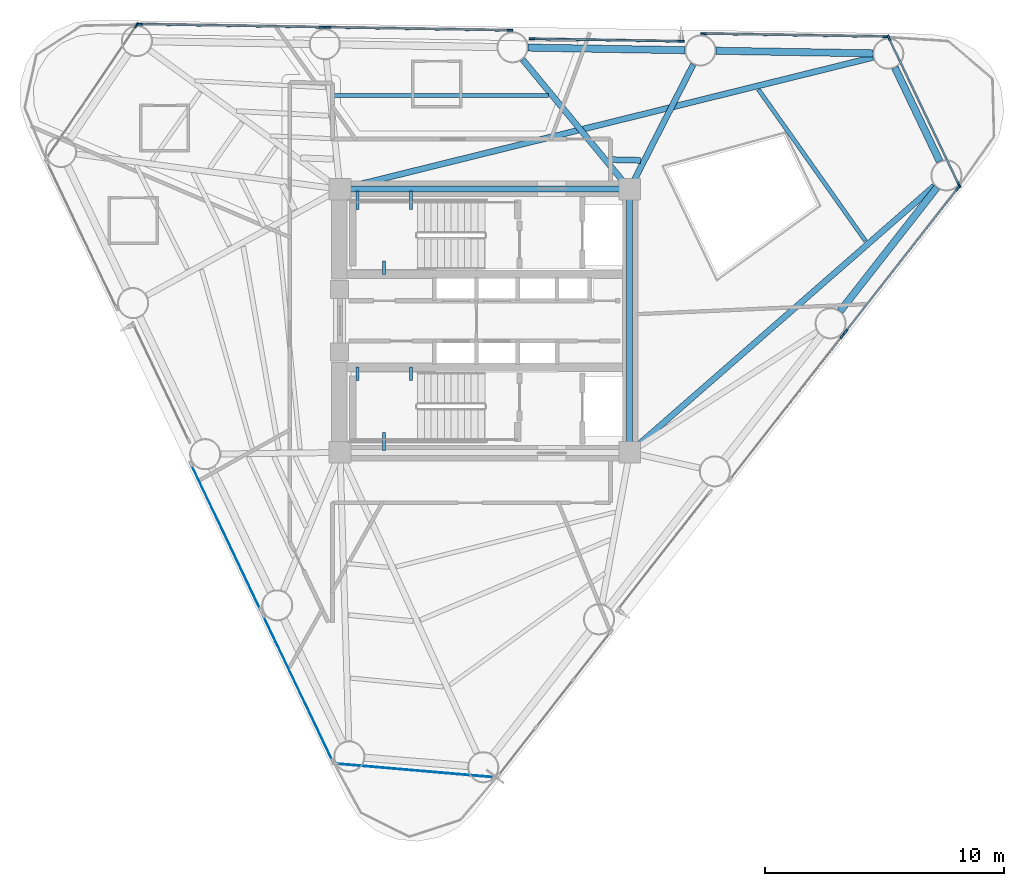
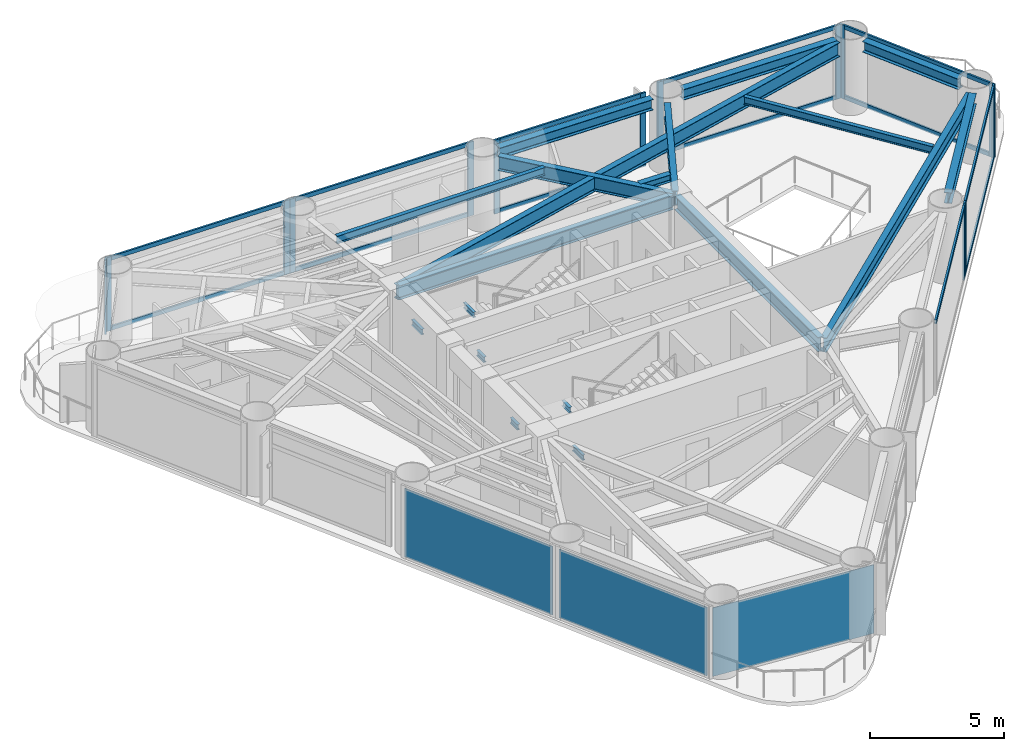
# One storey, part 4 of 10: 28 members, 19 beams, 3 plates, 11 elements without a shape of their own.
"""IFC4 building model written with IfcOpenShell, lengths in metres."""

from ifc_helpers import new_model, si_unit, direction, frame, origin, origin_2d, place, context, subcontext, project, spatial, rectangle, i_section, extrude, source, transform, mapped, material, layer, layer_set, material_profile, profile_set, type_object, element, aggregate, save


model = new_model("IFC4")

# Units and contexts
model_context = context("Model", 3, precision=1e-05, world=origin(), true_north=direction((0.0, 1.0)))
body_context = subcontext(model_context, "Body", "Model", "MODEL_VIEW")
ifc_project = project(units=[si_unit("LENGTHUNIT", "METRE"), si_unit("AREAUNIT", "SQUARE_METRE"), si_unit("VOLUMEUNIT", "CUBIC_METRE"), si_unit("PLANEANGLEUNIT", "RADIAN"), si_unit("MASSUNIT", "GRAM", prefix="KILO")], contexts=[model_context])

# Site, building, storey
site_placement = place(None, origin())
site = spatial("IfcSite", under=ifc_project, at=site_placement, CompositionType="ELEMENT")
building_placement = place(site_placement, origin())
building = spatial("IfcBuilding", under=site, at=building_placement, Name="Yunling Apex Tower", CompositionType="ELEMENT")
storey_placement = place(building_placement, frame((0.0, 0.0, 139.85009765625)))
storey = spatial("IfcBuildingStorey", under=building, at=storey_placement, Name="L34", CompositionType="ELEMENT", Elevation=139.85009765625)

# Beams
ifc_material_1 = material(Name="Steel Q355B", Category="steel")
ifc_material_profile_1 = material_profile(ifc_material_1, i_section(OverallWidth=0.125, OverallDepth=0.25, WebThickness=0.006103515625, FlangeThickness=0.009033203125, FilletRadius=0.011962890625, at=origin_2d()))
ifc_profile_set_1 = profile_set([ifc_material_profile_1], Name="Steel Q355B")
beam_type_1 = type_object("IfcBeamType", Name="BL-LNT-1", PredefinedType="LINTEL", material=ifc_profile_set_1)
shared_shape_1 = source(origin(), body_context, "Body", "SweptSolid", [
    extrude(i_section(OverallWidth=0.125, OverallDepth=0.25, WebThickness=0.006103515625, FlangeThickness=0.009033203125, FilletRadius=0.011962890625, at=origin_2d()), origin(), (0.0, 0.0, 1.0), 0.760009765625),
])
for number, where, z_axis, x_axis, name in (
    (1, (-5.320068359375, 5.419921875, 1.40478515625), (0.0, -1.0, 0.0), (1.0, 0.0, 0.0), "L34 ST-1 Landing Bearing Corbel 1-1"),
    (2, (-3.090087890625, 5.419921875, 1.40478515625), (0.0, -1.0, 0.0), (1.0, 0.0, 0.0), "L34 ST-1 Landing Bearing Corbel 1-2"),
    (3, (-4.205078125, -5.419921875, 1.40478515625), (0.0, 1.0, 0.0), (-1.0, 0.0, 0.0), "L34 ST-2 Landing Bearing Corbel 1-3"),
):
    element("IfcBeam", number, at=place(storey_placement, frame(where, z_axis=z_axis, x_axis=x_axis)), inside=storey, type_object=beam_type_1, Name=name, PredefinedType="LINTEL", context=body_context, shape_type="MappedRepresentation", body=[
        mapped(shared_shape_1, transform((0.0, 0.0, 0.0), scale=1.0)),
    ])
shared_shape_2 = source(origin(), body_context, "Body", "SweptSolid", [
    extrude(i_section(OverallWidth=0.125, OverallDepth=0.25, WebThickness=0.006103515625, FlangeThickness=0.009033203125, FilletRadius=0.011962890625, at=origin_2d()), origin(), (0.0, 0.0, 1.0), 0.550048828125),
])
for number, where, z_axis, x_axis, name in (
    (4, (-4.205078125, 1.93994140625, 1.40478515625), (0.0, 1.0, 0.0), (-1.0, 0.0, 0.0), "L34 ST-1 Landing Bearing Corbel 1-3"),
    (5, (-5.320068359375, -1.93994140625, 1.40478515625), (0.0, -1.0, 0.0), (1.0, 0.0, 0.0), "L34 ST-2 Landing Bearing Corbel 1-1"),
    (6, (-3.090087890625, -1.93994140625, 1.40478515625), (0.0, -1.0, 0.0), (1.0, 0.0, 0.0), "L34 ST-2 Landing Bearing Corbel 1-2"),
):
    element("IfcBeam", number, at=place(storey_placement, frame(where, z_axis=z_axis, x_axis=x_axis)), inside=storey, type_object=beam_type_1, Name=name, PredefinedType="LINTEL", context=body_context, shape_type="MappedRepresentation", body=[
        mapped(shared_shape_2, transform((0.0, 0.0, 0.0), scale=1.0)),
    ])
ifc_material_profile_2 = material_profile(ifc_material_1, i_section(OverallWidth=0.25, OverallDepth=0.64990234375, WebThickness=0.011962890625, FlangeThickness=0.02001953125, FilletRadius=0.02392578125, at=origin_2d()))
ifc_profile_set_2 = profile_set([ifc_material_profile_2], Name="Steel Q355B")
beam_type_2 = type_object("IfcBeamType", Name="BG-PRI-4", PredefinedType="USERDEFINED", material=ifc_profile_set_2)
shared_shape_3 = source(origin(), body_context, "Body", "SweptSolid", [
    extrude(i_section(OverallWidth=0.25, OverallDepth=0.64990234375, WebThickness=0.011962890625, FlangeThickness=0.02001953125, FilletRadius=0.02392578125, at=origin_2d()), origin(), (0.0, 0.0, 1.0), 11.7998046875),
])
beam_1_placement = place(storey_placement, frame((5.89990234375, 5.5, 2.94482421875), z_axis=(-1.0, 0.0, 0.0), x_axis=(0.0, -1.0, 0.0)))
element("IfcBeam", 7, at=beam_1_placement, inside=storey, type_object=beam_type_2, Name="L34 Core Ring Tie Beam 3", ObjectType="GIRDER", PredefinedType="USERDEFINED", context=body_context, shape_type="MappedRepresentation", body=[
    mapped(shared_shape_3, transform((0.0, 0.0, 0.0), scale=1.0)),
])
shared_shape_4 = source(origin(), body_context, "Body", "SweptSolid", [
    extrude(i_section(OverallWidth=0.25, OverallDepth=0.64990234375, WebThickness=0.011962890625, FlangeThickness=0.02001953125, FilletRadius=0.02392578125, at=origin_2d()), origin(), (0.0, 0.0, 1.0), 10.7001953125),
])
beam_2_placement = place(storey_placement, frame((6.050048828125, -5.35009765625, 2.94482421875), z_axis=(0.0, 1.0, 0.0), x_axis=(-1.0, 0.0, 0.0)))
element("IfcBeam", 8, at=beam_2_placement, inside=storey, type_object=beam_type_2, Name="L34 Core Ring Tie Beam 2", ObjectType="GIRDER", PredefinedType="USERDEFINED", context=body_context, shape_type="MappedRepresentation", body=[
    mapped(shared_shape_4, transform((0.0, 0.0, 0.0), scale=1.0)),
])
ifc_material_profile_3 = material_profile(ifc_material_1, i_section(OverallWidth=0.300048828125, OverallDepth=0.489990234375, WebThickness=0.010986328125, FlangeThickness=0.01806640625, FilletRadius=0.02197265625, at=origin_2d()))
ifc_profile_set_3 = profile_set([ifc_material_profile_3], Name="Steel Q355B")
beam_type_3 = type_object("IfcBeamType", Name="BP-SPN-2", PredefinedType="SPANDREL", material=ifc_profile_set_3)
shared_shape_5 = source(origin(), body_context, "Body", "SweptSolid", [
    extrude(i_section(OverallWidth=0.300048828125, OverallDepth=0.489990234375, WebThickness=0.010986328125, FlangeThickness=0.01806640625, FilletRadius=0.02197265625, at=origin_2d()), origin(), (0.0, 0.0, 1.0), 6.562255859375),
])
for number, where, z_axis, x_axis, name in (
    (9, (14.8447265625, 0.400390625, 3.02490234375), (0.616196907529, 0.787592135024, 0.0), (-0.787592135024, 0.616196907529, 0.0), "L34 Perimeter Spandrel Beam 4"),
    (10, (16.214599609375, 11.174560546875, 3.02490234375), (-0.999859845587, 0.016741839275, 0.0), (-0.016741839275, -0.999859845587, 0.0), "L34 Perimeter Spandrel Beam 6"),
):
    element("IfcBeam", number, at=place(storey_placement, frame(where, z_axis=z_axis, x_axis=x_axis)), inside=storey, type_object=beam_type_3, Name=name, PredefinedType="SPANDREL", context=body_context, shape_type="MappedRepresentation", body=[
        mapped(shared_shape_5, transform((0.0, 0.0, 0.0), scale=1.0)),
    ])
shared_shape_6 = source(origin(), body_context, "Body", "SweptSolid", [
    extrude(i_section(OverallWidth=0.300048828125, OverallDepth=0.489990234375, WebThickness=0.010986328125, FlangeThickness=0.01806640625, FilletRadius=0.02197265625, at=origin_2d()), origin(), (0.0, 0.0, 1.0), 6.56201171875),
])
beam_3_placement = place(storey_placement, frame((8.365478515625, 11.305908203125, 3.02490234375), z_axis=(-0.999859211643, 0.016779657083, 0.0), x_axis=(-0.016779657083, -0.999859211643, 0.0)))
element("IfcBeam", 11, at=beam_3_placement, inside=storey, type_object=beam_type_3, Name="L34 Perimeter Spandrel Beam 7", PredefinedType="SPANDREL", context=body_context, shape_type="MappedRepresentation", body=[
    mapped(shared_shape_6, transform((0.0, 0.0, 0.0), scale=1.0)),
])
shared_shape_7 = source(origin(), body_context, "Body", "SweptSolid", [
    extrude(i_section(OverallWidth=0.300048828125, OverallDepth=0.489990234375, WebThickness=0.010986328125, FlangeThickness=0.01806640625, FilletRadius=0.02197265625, at=origin_2d()), origin(), (0.0, 0.0, 1.0), 4.348876953125),
])
beam_4_placement = place(storey_placement, frame((19.0078125, 6.6572265625, 3.02490234375), z_axis=(-0.430473932145, 0.902603010046, 0.0), x_axis=(-0.902603010046, -0.430473932145, 0.0)))
element("IfcBeam", 12, at=beam_4_placement, inside=storey, type_object=beam_type_3, Name="L34 Perimeter Spandrel Beam 5", PredefinedType="SPANDREL", context=body_context, shape_type="MappedRepresentation", body=[
    mapped(shared_shape_7, transform((0.0, 0.0, 0.0), scale=1.0)),
])
shared_shape_8 = source(origin(), body_context, "Body", "SweptSolid", [
    extrude(i_section(OverallWidth=0.25, OverallDepth=0.64990234375, WebThickness=0.011962890625, FlangeThickness=0.02001953125, FilletRadius=0.02392578125, at=origin_2d()), origin(), (0.0, 0.0, 1.0), 16.84521484375),
])
beam_5_placement = place(storey_placement, frame((18.789794921875, 5.642822265625, 2.94482421875), z_axis=(-0.75271314446, -0.658348632684, 0.0), x_axis=(0.658348632684, -0.75271314446, 0.0)))
element("IfcBeam", 13, at=beam_5_placement, inside=storey, type_object=beam_type_2, Name="L34 Radial Primary Girder R05", ObjectType="GIRDER", PredefinedType="USERDEFINED", context=body_context, shape_type="MappedRepresentation", body=[
    mapped(shared_shape_8, transform((0.0, 0.0, 0.0), scale=1.0)),
])
shared_shape_9 = source(origin(), body_context, "Body", "SweptSolid", [
    extrude(i_section(OverallWidth=0.25, OverallDepth=0.64990234375, WebThickness=0.011962890625, FlangeThickness=0.02001953125, FilletRadius=0.02392578125, at=origin_2d()), origin(), (0.0, 0.0, 1.0), 22.860107421875),
])
beam_6_placement = place(storey_placement, frame((16.219482421875, 11.005859375, 2.94482421875), z_axis=(-0.970771198537, -0.240006833426, 0.0), x_axis=(0.240006833426, -0.970771198537, 0.0)))
element("IfcBeam", 14, at=beam_6_placement, inside=storey, type_object=beam_type_2, Name="L34 Radial Primary Girder R06", ObjectType="GIRDER", PredefinedType="USERDEFINED", context=body_context, shape_type="MappedRepresentation", body=[
    mapped(shared_shape_9, transform((0.0, 0.0, 0.0), scale=1.0)),
])
shared_shape_10 = source(origin(), body_context, "Body", "SweptSolid", [
    extrude(i_section(OverallWidth=0.25, OverallDepth=0.64990234375, WebThickness=0.011962890625, FlangeThickness=0.02001953125, FilletRadius=0.02392578125, at=origin_2d()), origin(), (0.0, 0.0, 1.0), 5.76904296875),
])
beam_7_placement = place(storey_placement, frame((8.710205078125, 10.709228515625, 2.94482421875), z_axis=(-0.454797867462, -0.890594688819, 0.0), x_axis=(0.890594688819, -0.454797867462, 0.0)))
element("IfcBeam", 15, at=beam_7_placement, inside=storey, type_object=beam_type_2, Name="L34 Radial Primary Girder R07", ObjectType="GIRDER", PredefinedType="USERDEFINED", context=body_context, shape_type="MappedRepresentation", body=[
    mapped(shared_shape_10, transform((0.0, 0.0, 0.0), scale=1.0)),
])
shared_shape_11 = source(origin(), body_context, "Body", "SweptSolid", [
    extrude(i_section(OverallWidth=0.25, OverallDepth=0.64990234375, WebThickness=0.011962890625, FlangeThickness=0.02001953125, FilletRadius=0.02392578125, at=origin_2d()), origin(), (0.0, 0.0, 1.0), 6.9453125),
])
beam_8_placement = place(storey_placement, frame((1.5791015625, 10.919189453125, 2.94482421875), z_axis=(0.636387137961, -0.771369827409, 0.0), x_axis=(0.771369827409, 0.636387137961, 0.0)))
element("IfcBeam", 16, at=beam_8_placement, inside=storey, type_object=beam_type_2, Name="L34 Radial Primary Girder R08", ObjectType="GIRDER", PredefinedType="USERDEFINED", context=body_context, shape_type="MappedRepresentation", body=[
    mapped(shared_shape_11, transform((0.0, 0.0, 0.0), scale=1.0)),
])
ifc_material_profile_4 = material_profile(ifc_material_1, i_section(OverallWidth=0.175048828125, OverallDepth=0.35009765625, WebThickness=0.007080078125, FlangeThickness=0.010986328125, FilletRadius=0.013916015625, at=origin_2d()))
ifc_profile_set_4 = profile_set([ifc_material_profile_4], Name="Steel Q355B")
beam_type_4 = type_object("IfcBeamType", Name="BJ-JST-1", PredefinedType="JOIST", material=ifc_profile_set_4)
shared_shape_12 = source(origin(), body_context, "Body", "SweptSolid", [
    extrude(i_section(OverallWidth=0.175048828125, OverallDepth=0.35009765625, WebThickness=0.007080078125, FlangeThickness=0.010986328125, FilletRadius=0.013916015625, at=origin_2d()), origin(), (0.0, 0.0, 1.0), 7.7578125),
])
beam_9_placement = place(storey_placement, frame((15.907958984375, 3.33349609375, 3.094970703125), z_axis=(-0.577260058065, 0.816560362351, 0.0), x_axis=(-0.816560362351, -0.577260058065, 0.0)))
element("IfcBeam", 17, at=beam_9_placement, inside=storey, type_object=beam_type_4, Name="L34 Composite Floor Joist BJ1-5", PredefinedType="JOIST", context=body_context, shape_type="MappedRepresentation", body=[
    mapped(shared_shape_12, transform((0.0, 0.0, 0.0), scale=1.0)),
])
ifc_material_profile_5 = material_profile(ifc_material_1, i_section(OverallWidth=0.25, OverallDepth=0.340087890625, WebThickness=0.009033203125, FlangeThickness=0.013916015625, FilletRadius=0.01806640625, at=origin_2d()))
ifc_profile_set_5 = profile_set([ifc_material_profile_5], Name="Steel Q355B")
beam_type_5 = type_object("IfcBeamType", Name="BJ-JST-2", PredefinedType="JOIST", material=ifc_profile_set_5)
shared_shape_13 = source(origin(), body_context, "Body", "SweptSolid", [
    extrude(i_section(OverallWidth=0.25, OverallDepth=0.340087890625, WebThickness=0.009033203125, FlangeThickness=0.013916015625, FilletRadius=0.01806640625, at=origin_2d()), origin(), (0.0, 0.0, 1.0), 1.3173828125),
])
beam_10_placement = place(storey_placement, frame((6.503662109375, 6.705322265625, 3.099853515625), z_axis=(-0.999718560735, 0.023723391875, 0.0), x_axis=(-0.023723391875, -0.999718560735, 0.0)))
element("IfcBeam", 18, at=beam_10_placement, inside=storey, type_object=beam_type_5, Name="L34 Composite Floor Joist BJ2-7", PredefinedType="JOIST", context=body_context, shape_type="MappedRepresentation", body=[
    mapped(shared_shape_13, transform((0.0, 0.0, 0.0), scale=1.0)),
])
shared_shape_14 = source(origin(), body_context, "Body", "SweptSolid", [
    extrude(i_section(OverallWidth=0.175048828125, OverallDepth=0.35009765625, WebThickness=0.007080078125, FlangeThickness=0.010986328125, FilletRadius=0.013916015625, at=origin_2d()), origin(), (0.0, 0.0, 1.0), 8.959228515625),
])
beam_11_placement = place(storey_placement, frame((2.65673828125, 9.4189453125, 3.094970703125), z_axis=(-0.99999980359, -0.000626754107, 0.0), x_axis=(0.000626754107, -0.99999980359, 0.0)))
element("IfcBeam", 19, at=beam_11_placement, inside=storey, type_object=beam_type_4, Name="L34 Composite Floor Joist BJ1-8", PredefinedType="JOIST", context=body_context, shape_type="MappedRepresentation", body=[
    mapped(shared_shape_14, transform((0.0, 0.0, 0.0), scale=1.0)),
])

# Curtain wall, member
ifc_material_2 = material(Name="Bronze anodised aluminium", Category="aluminium")
ifc_layer_1 = layer(ifc_material_2, 0.239990234375)
ifc_layer_set_1 = layer_set([ifc_layer_1], Name="Bronze anodised aluminium")
curtain_wall_type = type_object("IfcCurtainWallType", Name="CW-SYS-3", PredefinedType="NOTDEFINED", material=ifc_layer_set_1)
curtain_wall_1_placement = place(storey_placement, origin())
curtain_wall_1 = element("IfcCurtainWall", 20, at=curtain_wall_1_placement, inside=storey, type_object=curtain_wall_type, Name="CW-L34-F1-B3", PredefinedType="NOTDEFINED")
ifc_material_profile_6 = material_profile(ifc_material_2, rectangle(XDim=0.080078125, YDim=0.18505859375, at=origin_2d()))
ifc_profile_set_6 = profile_set([ifc_material_profile_6], Name="Bronze anodised aluminium")
member_type_1 = type_object("IfcMemberType", Name="CW-TRN-3", PredefinedType="USERDEFINED", material=ifc_profile_set_6)
shared_shape_15 = source(origin(), body_context, "Body", "SweptSolid", [
    extrude(rectangle(XDim=0.080078125, YDim=0.18505859375, at=origin_2d()), origin(), (0.0, 0.0, 1.0), 7.5380859375),
])
member_1_placement = place(storey_placement, frame((10.265869140625, -6.603759765625, 3.22998046875), z_axis=(0.616213940974, 0.787578808088, 0.0), x_axis=(-0.787578808088, 0.616213940974, 0.0)))
member_1 = element("IfcMember", 21, at=member_1_placement, type_object=member_type_1, Name="CW-SYS-3 transom 1.2", ObjectType="TRANSOM", PredefinedType="USERDEFINED", context=body_context, shape_type="MappedRepresentation", body=[
    mapped(shared_shape_15, transform((0.0, 0.0, 0.0), scale=1.0)),
])

# Curtain wall, members
curtain_wall_2_placement = place(storey_placement, origin())
curtain_wall_2 = element("IfcCurtainWall", 22, at=curtain_wall_2_placement, inside=storey, type_object=curtain_wall_type, Name="CW-L34-F1-B4", PredefinedType="NOTDEFINED")
member_2_placement = place(storey_placement, frame((15.10302734375, -0.421142578125, 0.039794921875), z_axis=(0.616213940974, 0.787578808088, 0.0), x_axis=(-0.787578808088, 0.616213940974, 0.0)))
member_2 = element("IfcMember", 23, at=member_2_placement, type_object=member_type_1, Name="CW-SYS-3 transom 1.1", ObjectType="TRANSOM", PredefinedType="USERDEFINED", context=body_context, shape_type="MappedRepresentation", body=[
    mapped(shared_shape_15, transform((0.0, 0.0, 0.0), scale=1.0)),
])
member_3_placement = place(storey_placement, frame((15.10302734375, -0.421142578125, 3.22998046875), z_axis=(0.616213940974, 0.787578808088, 0.0), x_axis=(-0.787578808088, 0.616213940974, 0.0)))
member_3 = element("IfcMember", 24, at=member_3_placement, type_object=member_type_1, Name="CW-SYS-3 transom 1.2", ObjectType="TRANSOM", PredefinedType="USERDEFINED", context=body_context, shape_type="MappedRepresentation", body=[
    mapped(shared_shape_15, transform((0.0, 0.0, 0.0), scale=1.0)),
])

curtain_wall_3_placement = place(storey_placement, origin())
curtain_wall_3 = element("IfcCurtainWall", 25, at=curtain_wall_3_placement, inside=storey, type_object=curtain_wall_type, Name="CW-L34-F2-B1", PredefinedType="NOTDEFINED")
member_4_placement = place(storey_placement, frame((16.71435546875, 11.876220703125, 0.039794921875), z_axis=(-0.999859805743, 0.016744218696, 0.0), x_axis=(-0.016744218696, -0.999859805743, 0.0)))
member_4 = element("IfcMember", 26, at=member_4_placement, type_object=member_type_1, Name="CW-SYS-3 transom 1.1", ObjectType="TRANSOM", PredefinedType="USERDEFINED", context=body_context, shape_type="MappedRepresentation", body=[
    mapped(shared_shape_15, transform((0.0, 0.0, 0.0), scale=1.0)),
])
member_5_placement = place(storey_placement, frame((16.71435546875, 11.876220703125, 3.22998046875), z_axis=(-0.999859805743, 0.016744218696, 0.0), x_axis=(-0.016744218696, -0.999859805743, 0.0)))
member_5 = element("IfcMember", 27, at=member_5_placement, type_object=member_type_1, Name="CW-SYS-3 transom 1.2", ObjectType="TRANSOM", PredefinedType="USERDEFINED", context=body_context, shape_type="MappedRepresentation", body=[
    mapped(shared_shape_15, transform((0.0, 0.0, 0.0), scale=1.0)),
])

curtain_wall_4_placement = place(storey_placement, origin())
curtain_wall_4 = element("IfcCurtainWall", 28, at=curtain_wall_4_placement, inside=storey, type_object=curtain_wall_type, Name="CW-L34-F2-B3", PredefinedType="NOTDEFINED")
member_6_placement = place(storey_placement, frame((1.016357421875, 12.139404296875, 0.039794921875), z_axis=(-0.999859805743, 0.016744218696, 0.0), x_axis=(-0.016744218696, -0.999859805743, 0.0)))
member_6 = element("IfcMember", 29, at=member_6_placement, type_object=member_type_1, Name="CW-SYS-3 transom 1.1", ObjectType="TRANSOM", PredefinedType="USERDEFINED", context=body_context, shape_type="MappedRepresentation", body=[
    mapped(shared_shape_15, transform((0.0, 0.0, 0.0), scale=1.0)),
])
member_7_placement = place(storey_placement, frame((1.016357421875, 12.139404296875, 3.22998046875), z_axis=(-0.999859805743, 0.016744218696, 0.0), x_axis=(-0.016744218696, -0.999859805743, 0.0)))
member_7 = element("IfcMember", 30, at=member_7_placement, type_object=member_type_1, Name="CW-SYS-3 transom 1.2", ObjectType="TRANSOM", PredefinedType="USERDEFINED", context=body_context, shape_type="MappedRepresentation", body=[
    mapped(shared_shape_15, transform((0.0, 0.0, 0.0), scale=1.0)),
])

curtain_wall_5_placement = place(storey_placement, origin())
curtain_wall_5 = element("IfcCurtainWall", 31, at=curtain_wall_5_placement, inside=storey, type_object=curtain_wall_type, Name="CW-L34-F2-B4", PredefinedType="NOTDEFINED")
member_8_placement = place(storey_placement, frame((-6.83251953125, 12.27099609375, 0.039794921875), z_axis=(-0.999859805743, 0.016744218696, 0.0), x_axis=(-0.016744218696, -0.999859805743, 0.0)))
member_8 = element("IfcMember", 32, at=member_8_placement, type_object=member_type_1, Name="CW-SYS-3 transom 1.1", ObjectType="TRANSOM", PredefinedType="USERDEFINED", context=body_context, shape_type="MappedRepresentation", body=[
    mapped(shared_shape_15, transform((0.0, 0.0, 0.0), scale=1.0)),
])
member_9_placement = place(storey_placement, frame((-6.83251953125, 12.27099609375, 3.22998046875), z_axis=(-0.999859805743, 0.016744218696, 0.0), x_axis=(-0.016744218696, -0.999859805743, 0.0)))
member_9 = element("IfcMember", 33, at=member_9_placement, type_object=member_type_1, Name="CW-SYS-3 transom 1.2", ObjectType="TRANSOM", PredefinedType="USERDEFINED", context=body_context, shape_type="MappedRepresentation", body=[
    mapped(shared_shape_15, transform((0.0, 0.0, 0.0), scale=1.0)),
])

curtain_wall_6_placement = place(storey_placement, origin())
curtain_wall_6 = element("IfcCurtainWall", 34, at=curtain_wall_6_placement, inside=storey, type_object=curtain_wall_type, Name="CW-L34-CRN1", PredefinedType="NOTDEFINED")
shared_shape_16 = source(origin(), body_context, "Body", "SweptSolid", [
    extrude(rectangle(XDim=0.080078125, YDim=0.18505859375, at=origin_2d()), origin(), (0.0, 0.0, 1.0), 6.719970703125),
])
member_10_placement = place(storey_placement, frame((19.7958984375, 5.719482421875, 0.039794921875), z_axis=(-0.430511684766, 0.902585003908, 0.0), x_axis=(-0.902585003908, -0.430511684766, 0.0)))
member_10 = element("IfcMember", 35, at=member_10_placement, type_object=member_type_1, Name="CW-SYS-3 transom 1.1", ObjectType="TRANSOM", PredefinedType="USERDEFINED", context=body_context, shape_type="MappedRepresentation", body=[
    mapped(shared_shape_16, transform((0.0, 0.0, 0.0), scale=1.0)),
])
member_11_placement = place(storey_placement, frame((19.7958984375, 5.719482421875, 3.22998046875), z_axis=(-0.430511684766, 0.902585003908, 0.0), x_axis=(-0.902585003908, -0.430511684766, 0.0)))
member_11 = element("IfcMember", 36, at=member_11_placement, type_object=member_type_1, Name="CW-SYS-3 transom 1.2", ObjectType="TRANSOM", PredefinedType="USERDEFINED", context=body_context, shape_type="MappedRepresentation", body=[
    mapped(shared_shape_16, transform((0.0, 0.0, 0.0), scale=1.0)),
])

curtain_wall_7_placement = place(storey_placement, origin())
curtain_wall_7 = element("IfcCurtainWall", 37, at=curtain_wall_7_placement, inside=storey, type_object=curtain_wall_type, Name="CW-L34-F2-B2", PredefinedType="NOTDEFINED")
shared_shape_17 = source(origin(), body_context, "Body", "SweptSolid", [
    extrude(rectangle(XDim=0.080078125, YDim=0.18505859375, at=origin_2d()), origin(), (0.0, 0.0, 1.0), 6.158447265625),
])
member_12_placement = place(storey_placement, frame((8.169921875, 11.679443359375, 0.039794921875), z_axis=(-0.99985938407, 0.016769379464, 0.0), x_axis=(-0.016769379464, -0.99985938407, 0.0)))
member_12 = element("IfcMember", 38, at=member_12_placement, type_object=member_type_1, Name="CW-SYS-3 transom 1.1", ObjectType="TRANSOM", PredefinedType="USERDEFINED", context=body_context, shape_type="MappedRepresentation", body=[
    mapped(shared_shape_17, transform((0.0, 0.0, 0.0), scale=1.0)),
])
member_13_placement = place(storey_placement, frame((8.169921875, 11.679443359375, 2.485107421875), z_axis=(-0.99985938407, 0.016769379464, 0.0), x_axis=(-0.016769379464, -0.99985938407, 0.0)))
member_13 = element("IfcMember", 39, at=member_13_placement, type_object=member_type_1, Name="CW-SYS-3 transom 1.2", ObjectType="TRANSOM", PredefinedType="USERDEFINED", context=body_context, shape_type="MappedRepresentation", body=[
    mapped(shared_shape_17, transform((0.0, 0.0, 0.0), scale=1.0)),
])
member_14_placement = place(storey_placement, frame((8.169921875, 11.679443359375, 3.22998046875), z_axis=(-0.99985938407, 0.016769379464, 0.0), x_axis=(-0.016769379464, -0.99985938407, 0.0)))
member_14 = element("IfcMember", 40, at=member_14_placement, type_object=member_type_1, Name="CW-SYS-3 transom 1.3", ObjectType="TRANSOM", PredefinedType="USERDEFINED", context=body_context, shape_type="MappedRepresentation", body=[
    mapped(shared_shape_17, transform((0.0, 0.0, 0.0), scale=1.0)),
])

# Member
ifc_material_profile_7 = material_profile(ifc_material_2, rectangle(XDim=0.080078125, YDim=0.239990234375, at=origin_2d()))
ifc_profile_set_7 = profile_set([ifc_material_profile_7], Name="Bronze anodised aluminium")
member_type_2 = type_object("IfcMemberType", Name="CW-MUL-3", PredefinedType="MULLION", material=ifc_profile_set_7)
shared_shape_18 = source(origin(), body_context, "Body", "SweptSolid", [
    extrude(rectangle(XDim=0.080078125, YDim=0.239990234375, at=origin_2d()), origin(), (0.0, 0.0, 1.0), 3.369873046875),
])
member_15_placement = place(storey_placement, frame((14.93310546875, -0.638671875, -0.050048828125), z_axis=(0.0, 0.0, 1.0), x_axis=(-0.787583748686, 0.616207626377, 0.0)))
member_15 = element("IfcMember", 41, at=member_15_placement, type_object=member_type_2, Name="CW-SYS-3 mullion 2", PredefinedType="MULLION", context=body_context, shape_type="MappedRepresentation", body=[
    mapped(shared_shape_18, transform((0.0, 0.0, 0.0), scale=1.0)),
])

aggregate(curtain_wall_1, [member_15, member_1])

member_16_placement = place(storey_placement, frame((15.0810546875, -0.44970703125, -0.050048828125), z_axis=(0.0, 0.0, 1.0), x_axis=(-0.787583748686, 0.616207626377, 0.0)))
member_16 = element("IfcMember", 42, at=member_16_placement, type_object=member_type_2, Name="CW-SYS-3 mullion 1", PredefinedType="MULLION", context=body_context, shape_type="MappedRepresentation", body=[
    mapped(shared_shape_18, transform((0.0, 0.0, 0.0), scale=1.0)),
])

member_17_placement = place(storey_placement, frame((19.770263671875, 5.5439453125, -0.050048828125), z_axis=(0.0, 0.0, 1.0), x_axis=(-0.787583748686, 0.616207626377, 0.0)))
member_17 = element("IfcMember", 43, at=member_17_placement, type_object=member_type_2, Name="CW-SYS-3 mullion 2", PredefinedType="MULLION", context=body_context, shape_type="MappedRepresentation", body=[
    mapped(shared_shape_18, transform((0.0, 0.0, 0.0), scale=1.0)),
])

aggregate(curtain_wall_2, [member_16, member_17, member_2, member_3])

member_18_placement = place(storey_placement, frame((19.811279296875, 5.68701171875, -0.050048828125), z_axis=(0.0, 0.0, 1.0), x_axis=(-0.902581673296, -0.430518667458, 0.0)))
member_18 = element("IfcMember", 44, at=member_18_placement, type_object=member_type_2, Name="CW-SYS-3 mullion 1", PredefinedType="MULLION", context=body_context, shape_type="MappedRepresentation", body=[
    mapped(shared_shape_18, transform((0.0, 0.0, 0.0), scale=1.0)),
])

member_19_placement = place(storey_placement, frame((16.88720703125, 11.8173828125, -0.050048828125), z_axis=(0.0, 0.0, 1.0), x_axis=(-0.902581673296, -0.430518667458, 0.0)))
member_19 = element("IfcMember", 45, at=member_19_placement, type_object=member_type_2, Name="CW-SYS-3 mullion 2", PredefinedType="MULLION", context=body_context, shape_type="MappedRepresentation", body=[
    mapped(shared_shape_18, transform((0.0, 0.0, 0.0), scale=1.0)),
])

aggregate(curtain_wall_6, [member_18, member_19, member_10, member_11])

member_20_placement = place(storey_placement, frame((16.75048828125, 11.87548828125, -0.050048828125), z_axis=(0.0, 0.0, 1.0), x_axis=(-0.016761635477, -0.99985951392, 0.0)))
member_20 = element("IfcMember", 46, at=member_20_placement, type_object=member_type_2, Name="CW-SYS-3 mullion 1", PredefinedType="MULLION", context=body_context, shape_type="MappedRepresentation", body=[
    mapped(shared_shape_18, transform((0.0, 0.0, 0.0), scale=1.0)),
])

member_21_placement = place(storey_placement, frame((9.141357421875, 12.003173828125, -0.050048828125), z_axis=(0.0, 0.0, 1.0), x_axis=(-0.016761635477, -0.99985951392, 0.0)))
member_21 = element("IfcMember", 47, at=member_21_placement, type_object=member_type_2, Name="CW-SYS-3 mullion 2", PredefinedType="MULLION", context=body_context, shape_type="MappedRepresentation", body=[
    mapped(shared_shape_18, transform((0.0, 0.0, 0.0), scale=1.0)),
])

aggregate(curtain_wall_3, [member_20, member_21, member_4, member_5])

member_22_placement = place(storey_placement, frame((8.205810546875, 11.6787109375, -0.050048828125), z_axis=(0.0, 0.0, 1.0), x_axis=(-0.016766539529, -0.999859431696, 0.0)))
member_22 = element("IfcMember", 48, at=member_22_placement, type_object=member_type_2, Name="CW-SYS-3 mullion 1", PredefinedType="MULLION", context=body_context, shape_type="MappedRepresentation", body=[
    mapped(shared_shape_18, transform((0.0, 0.0, 0.0), scale=1.0)),
])

member_23_placement = place(storey_placement, frame((1.9765625, 11.783203125, -0.050048828125), z_axis=(0.0, 0.0, 1.0), x_axis=(-0.016766539529, -0.999859431696, 0.0)))
member_23 = element("IfcMember", 49, at=member_23_placement, type_object=member_type_2, Name="CW-SYS-3 mullion 2", PredefinedType="MULLION", context=body_context, shape_type="MappedRepresentation", body=[
    mapped(shared_shape_18, transform((0.0, 0.0, 0.0), scale=1.0)),
])

aggregate(curtain_wall_7, [member_22, member_23, member_12, member_13, member_14])

member_24_placement = place(storey_placement, frame((1.052490234375, 12.138671875, -0.050048828125), z_axis=(0.0, 0.0, 1.0), x_axis=(-0.016761635477, -0.99985951392, 0.0)))
member_24 = element("IfcMember", 50, at=member_24_placement, type_object=member_type_2, Name="CW-SYS-3 mullion 1", PredefinedType="MULLION", context=body_context, shape_type="MappedRepresentation", body=[
    mapped(shared_shape_18, transform((0.0, 0.0, 0.0), scale=1.0)),
])

member_25_placement = place(storey_placement, frame((-6.556640625, 12.266357421875, -0.050048828125), z_axis=(0.0, 0.0, 1.0), x_axis=(-0.016761635477, -0.99985951392, 0.0)))
member_25 = element("IfcMember", 51, at=member_25_placement, type_object=member_type_2, Name="CW-SYS-3 mullion 2", PredefinedType="MULLION", context=body_context, shape_type="MappedRepresentation", body=[
    mapped(shared_shape_18, transform((0.0, 0.0, 0.0), scale=1.0)),
])

aggregate(curtain_wall_4, [member_24, member_25, member_6, member_7])

member_26_placement = place(storey_placement, frame((-6.796630859375, 12.270263671875, -0.050048828125), z_axis=(0.0, 0.0, 1.0), x_axis=(-0.016761635477, -0.99985951392, 0.0)))
member_26 = element("IfcMember", 52, at=member_26_placement, type_object=member_type_2, Name="CW-SYS-3 mullion 1", PredefinedType="MULLION", context=body_context, shape_type="MappedRepresentation", body=[
    mapped(shared_shape_18, transform((0.0, 0.0, 0.0), scale=1.0)),
])

member_27_placement = place(storey_placement, frame((-14.40576171875, 12.39794921875, -0.050048828125), z_axis=(0.0, 0.0, 1.0), x_axis=(-0.016761635477, -0.99985951392, 0.0)))
member_27 = element("IfcMember", 53, at=member_27_placement, type_object=member_type_2, Name="CW-SYS-3 mullion 2", PredefinedType="MULLION", context=body_context, shape_type="MappedRepresentation", body=[
    mapped(shared_shape_18, transform((0.0, 0.0, 0.0), scale=1.0)),
])

aggregate(curtain_wall_5, [member_26, member_27, member_8, member_9])

# Curtain wall, member
curtain_wall_8_placement = place(storey_placement, origin())
curtain_wall_8 = element("IfcCurtainWall", 54, at=curtain_wall_8_placement, inside=storey, type_object=curtain_wall_type, Name="CW-L34-CRN2", PredefinedType="NOTDEFINED")
member_28_placement = place(storey_placement, frame((-14.54833984375, 12.3466796875, -0.050048828125), z_axis=(0.0, 0.0, 1.0), x_axis=(0.82813882115, -0.560523052964, 0.0)))
member_28 = element("IfcMember", 55, at=member_28_placement, type_object=member_type_2, Name="CW-SYS-3 mullion 1", PredefinedType="MULLION", context=body_context, shape_type="MappedRepresentation", body=[
    mapped(shared_shape_18, transform((0.0, 0.0, 0.0), scale=1.0)),
])
aggregate(curtain_wall_8, [member_28])

# Curtain wall, plate
curtain_wall_9_placement = place(storey_placement, origin())
curtain_wall_9 = element("IfcCurtainWall", 56, at=curtain_wall_9_placement, inside=storey, type_object=curtain_wall_type, Name="CW-L34-F3-B3", PredefinedType="NOTDEFINED")
ifc_material_3 = material(Name="Bronze tinted low-E glass", Category="glass")
ifc_layer_2 = layer(ifc_material_3, 0.031982421875)
ifc_layer_set_2 = layer_set([ifc_layer_2], Name="Bronze tinted low-E glass")
plate_type = type_object("IfcPlateType", Name="CW-PNL-3", PredefinedType="CURTAIN_PANEL", material=ifc_layer_set_2)
shared_shape_19 = source(origin(), body_context, "Body", "SweptSolid", [
    extrude(rectangle(XDim=6.691650390625, YDim=0.031982421875, at=origin_2d()), origin(), (0.0, 0.0, 1.0), 3.1259765625),
])
plate_1_placement = place(storey_placement, frame((-10.820068359375, -9.036376953125, 0.072021484375), z_axis=(0.0, 0.0, 1.0), x_axis=(0.430493977743, -0.902593449526, 0.0)))
plate_1 = element("IfcPlate", 57, at=plate_1_placement, type_object=plate_type, Name="CW-SYS-3 panel 1.1", PredefinedType="CURTAIN_PANEL", context=body_context, shape_type="MappedRepresentation", body=[
    mapped(shared_shape_19, transform((0.0, 0.0, 0.0), scale=1.0)),
])
aggregate(curtain_wall_9, [plate_1])

curtain_wall_10_placement = place(storey_placement, origin())
curtain_wall_10 = element("IfcCurtainWall", 58, at=curtain_wall_10_placement, inside=storey, type_object=curtain_wall_type, Name="CW-L34-F3-B4", PredefinedType="NOTDEFINED")
plate_2_placement = place(storey_placement, frame((-7.80859375, -15.350341796875, 0.072021484375), z_axis=(0.0, 0.0, 1.0), x_axis=(0.430511580192, -0.902585053788, 0.0)))
plate_2 = element("IfcPlate", 59, at=plate_2_placement, type_object=plate_type, Name="CW-SYS-3 panel 1.1", PredefinedType="CURTAIN_PANEL", context=body_context, shape_type="MappedRepresentation", body=[
    mapped(shared_shape_19, transform((0.0, 0.0, 0.0), scale=1.0)),
])
aggregate(curtain_wall_10, [plate_2])

curtain_wall_11_placement = place(storey_placement, origin())
curtain_wall_11 = element("IfcCurtainWall", 60, at=curtain_wall_11_placement, inside=storey, type_object=curtain_wall_type, Name="CW-L34-CRN3", PredefinedType="NOTDEFINED")
shared_shape_20 = source(origin(), body_context, "Body", "SweptSolid", [
    extrude(rectangle(XDim=6.64501953125, YDim=0.031982421875, at=origin_2d()), origin(), (0.0, 0.0, 1.0), 3.1259765625),
])
plate_3_placement = place(storey_placement, frame((-2.902587890625, -18.789306640625, 0.072021484375), z_axis=(0.0, 0.0, 1.0), x_axis=(0.996333853808, -0.085550287883, 0.0)))
plate_3 = element("IfcPlate", 61, at=plate_3_placement, type_object=plate_type, Name="CW-SYS-3 panel 1.1", PredefinedType="CURTAIN_PANEL", context=body_context, shape_type="MappedRepresentation", body=[
    mapped(shared_shape_20, transform((0.0, 0.0, 0.0), scale=1.0)),
])
aggregate(curtain_wall_11, [plate_3])

save(model, "model.ifc")
